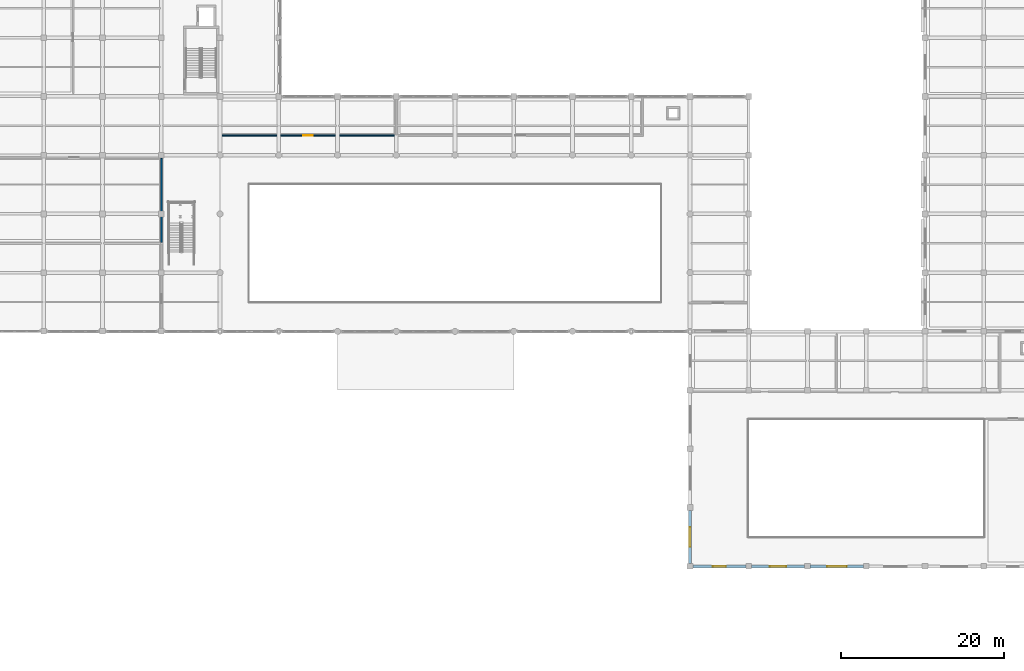
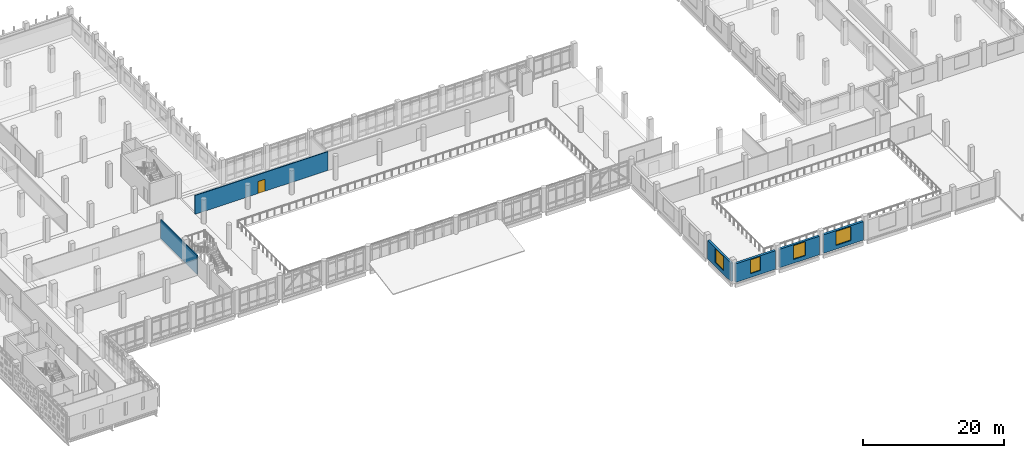
# One storey, part 33 of 57: 6 walls, 4 windows, 1 door, 5 openings.
"""IFC4 building model written with IfcOpenShell, lengths in metres."""

from ifc_helpers import new_model, si_unit, direction, frame, frame_2d, origin, place, context, subcontext, project, spatial, rectangle, extrude, material, layer, layer_set, type_object, element, fill, save


model = new_model("IFC4")

# Units and contexts
model_context = context("Model", 3, precision=1e-05, world=origin(), true_north=direction((0.0, 1.0)))
body_context = subcontext(model_context, "Body", "Model", "MODEL_VIEW")
ifc_project = project(units=[si_unit("LENGTHUNIT", "METRE"), si_unit("AREAUNIT", "SQUARE_METRE"), si_unit("VOLUMEUNIT", "CUBIC_METRE"), si_unit("PLANEANGLEUNIT", "RADIAN"), si_unit("MASSUNIT", "GRAM", prefix="KILO")], contexts=[model_context])

# Site, building, storey
site_placement = place(None, origin())
site = spatial("IfcSite", under=ifc_project, at=site_placement, CompositionType="ELEMENT")
building_placement = place(site_placement, origin())
building = spatial("IfcBuilding", under=site, at=building_placement, Name="Valkovuoma Quantum and Materials Research Institute", CompositionType="ELEMENT")
storey_placement = place(building_placement, frame((0.0, 0.0, 4.800048828125)))
storey = spatial("IfcBuildingStorey", under=building, at=storey_placement, Name="L01", CompositionType="ELEMENT", Elevation=4.800048828125)

# Wall, opening, window
ifc_material_1 = material(Name="Precast concrete C40/50", Category="concrete")
ifc_layer_1 = layer(ifc_material_1, 0.360107421875)
ifc_layer_set_1 = layer_set([ifc_layer_1], Name="Precast concrete C40/50")
wall_type_1 = type_object("IfcWallType", Name="Wall-W-EXT360", PredefinedType="SOLIDWALL", material=ifc_layer_set_1)
wall_1_placement = place(storey_placement, frame((100.800048828125, 7.5400390625, 0.0), z_axis=(0.0, 0.0, 1.0), x_axis=(0.0, 1.0, 0.0)))
wall_1 = element("IfcWall", 1, at=wall_1_placement, inside=storey, type_object=wall_type_1, Name="L01 exterior wall 0098", PredefinedType="SOLIDWALL", context=body_context, shape_type="SweptSolid", body=[
    extrude(rectangle(XDim=6.52001953125, YDim=0.360107421875, at=frame_2d((3.260009765625, 0.0))), origin(), (0.0, 0.0, 1.0), 3.2099609375),
])
opening_1_placement = place(wall_1_placement, frame((2.06005859375, 0.0, 0.64990234375)))
opening_1 = element("IfcOpeningElement", 2, at=opening_1_placement, cuts=wall_1, Name="Opening WN-LF03", PredefinedType="OPENING", context=body_context, shape_type="SweptSolid", body=[
    extrude(rectangle(XDim=2.39990234375, YDim=2.39990234375, at=frame_2d((1.199951171875, 1.199951171875))), frame((0.0, 0.18994140625, 0.0), z_axis=(0.0, -1.0, 0.0), x_axis=(1.0, 0.0, 0.0)), (0.0, 0.0, 1.0), 0.380126953125),
])
ifc_material_2 = material(Name="Triple low-E argon glazing in thermally broken aluminium frame", Category="aluminium")
window_type_1 = type_object("IfcWindowType", Name="Win-WN-LF03", PartitioningType="SINGLE_PANEL", PredefinedType="WINDOW", material=ifc_material_2)
window_1_placement = place(opening_1_placement, origin())
window_1 = element("IfcWindow", 3, at=window_1_placement, inside=storey, type_object=window_type_1, Name="L01 window 0087", OverallHeight=2.39990234375, OverallWidth=2.39990234375, PartitioningType="SINGLE_PANEL", PredefinedType="WINDOW", context=body_context, shape_type="SweptSolid", body=[
    extrude(rectangle(XDim=2.39990234375, YDim=2.39990234375, at=frame_2d((1.199951171875, 1.199951171875))), frame((0.0, 0.030029296875, 0.0), z_axis=(0.0, -1.0, 0.0), x_axis=(1.0, 0.0, 0.0)), (0.0, 0.0, 1.0), 0.06005859375),
])
fill(opening_1, window_1)

ifc_material_3 = material(Name="Precast concrete C40/50", Category="concrete")
ifc_layer_2 = layer(ifc_material_3, 0.3798828125)
ifc_layer_set_2 = layer_set([ifc_layer_2], Name="Precast concrete C40/50")
wall_type_2 = type_object("IfcWallType", Name="Wall-W-EXT380", PredefinedType="SOLIDWALL", material=ifc_layer_set_2)
wall_2_placement = place(storey_placement, frame((101.139892578125, 7.199951171875, 0.0), z_axis=(0.0, 0.0, 1.0), x_axis=(1.0, 0.0, 0.0)))
wall_2 = element("IfcWall", 4, at=wall_2_placement, inside=storey, type_object=wall_type_2, Name="L01 exterior wall 0092", PredefinedType="SOLIDWALL", context=body_context, shape_type="SweptSolid", body=[
    extrude(rectangle(XDim=6.52001953125, YDim=0.3798828125, at=frame_2d((3.260009765625, 0.0))), origin(), (0.0, 0.0, 1.0), 3.2099609375),
])
opening_2_placement = place(wall_2_placement, frame((2.4599609375, 0.0, 0.64990234375)))
opening_2 = element("IfcOpeningElement", 5, at=opening_2_placement, cuts=wall_2, Name="Opening WN-LF01", PredefinedType="OPENING", context=body_context, shape_type="SweptSolid", body=[
    extrude(rectangle(XDim=1.60009765625, YDim=2.39990234375, at=frame_2d((0.800048828125, 1.199951171875))), frame((0.0, 0.199951171875, 0.0), z_axis=(0.0, -1.0, 0.0), x_axis=(1.0, 0.0, 0.0)), (0.0, 0.0, 1.0), 0.39990234375),
])
ifc_material_4 = material(Name="Triple low-E argon glazing in thermally broken aluminium frame", Category="aluminium")
window_type_2 = type_object("IfcWindowType", Name="Win-WN-LF01", PartitioningType="SINGLE_PANEL", PredefinedType="WINDOW", material=ifc_material_4)
window_2_placement = place(opening_2_placement, origin())
window_2 = element("IfcWindow", 6, at=window_2_placement, inside=storey, type_object=window_type_2, Name="L01 window 0081", OverallHeight=2.39990234375, OverallWidth=1.60009765625, PartitioningType="SINGLE_PANEL", PredefinedType="WINDOW", context=body_context, shape_type="SweptSolid", body=[
    extrude(rectangle(XDim=1.60009765625, YDim=2.39990234375, at=frame_2d((0.800048828125, 1.199951171875))), frame((0.0, 0.030029296875, 0.0), z_axis=(0.0, -1.0, 0.0), x_axis=(1.0, 0.0, 0.0)), (0.0, 0.0, 1.0), 0.06005859375),
])
fill(opening_2, window_2)

wall_3_placement = place(storey_placement, frame((108.340087890625, 7.199951171875, 0.0), z_axis=(0.0, 0.0, 1.0), x_axis=(1.0, 0.0, 0.0)))
wall_3 = element("IfcWall", 7, at=wall_3_placement, inside=storey, type_object=wall_type_2, Name="L01 exterior wall 0093", PredefinedType="SOLIDWALL", context=body_context, shape_type="SweptSolid", body=[
    extrude(rectangle(XDim=6.52001953125, YDim=0.3798828125, at=frame_2d((3.260009765625, 0.0))), origin(), (0.0, 0.0, 1.0), 3.2099609375),
])
opening_3_placement = place(wall_3_placement, frame((2.260009765625, 0.0, 0.64990234375)))
opening_3 = element("IfcOpeningElement", 8, at=opening_3_placement, cuts=wall_3, Name="Opening WN-LF02", PredefinedType="OPENING", context=body_context, shape_type="SweptSolid", body=[
    extrude(rectangle(XDim=2.0, YDim=2.39990234375, at=frame_2d((1.0, 1.199951171875))), frame((0.0, 0.199951171875, 0.0), z_axis=(0.0, -1.0, 0.0), x_axis=(1.0, 0.0, 0.0)), (0.0, 0.0, 1.0), 0.39990234375),
])
ifc_material_5 = material(Name="Triple low-E argon glazing in thermally broken aluminium frame", Category="aluminium")
window_type_3 = type_object("IfcWindowType", Name="Win-WN-LF02", PartitioningType="SINGLE_PANEL", PredefinedType="WINDOW", material=ifc_material_5)
window_3_placement = place(opening_3_placement, origin())
window_3 = element("IfcWindow", 9, at=window_3_placement, inside=storey, type_object=window_type_3, Name="L01 window 0082", OverallHeight=2.39990234375, OverallWidth=2.0, PartitioningType="SINGLE_PANEL", PredefinedType="WINDOW", context=body_context, shape_type="SweptSolid", body=[
    extrude(rectangle(XDim=2.0, YDim=2.39990234375, at=frame_2d((1.0, 1.199951171875))), frame((0.0, 0.030029296875, 0.0), z_axis=(0.0, -1.0, 0.0), x_axis=(1.0, 0.0, 0.0)), (0.0, 0.0, 1.0), 0.06005859375),
])
fill(opening_3, window_3)

wall_4_placement = place(storey_placement, frame((115.5400390625, 7.199951171875, 0.0), z_axis=(0.0, 0.0, 1.0), x_axis=(1.0, 0.0, 0.0)))
wall_4 = element("IfcWall", 10, at=wall_4_placement, inside=storey, type_object=wall_type_2, Name="L01 exterior wall 0094", PredefinedType="SOLIDWALL", context=body_context, shape_type="SweptSolid", body=[
    extrude(rectangle(XDim=6.52001953125, YDim=0.3798828125, at=frame_2d((3.260009765625, 0.0))), origin(), (0.0, 0.0, 1.0), 3.2099609375),
])
opening_4_placement = place(wall_4_placement, frame((2.06005859375, 0.0, 0.64990234375)))
opening_4 = element("IfcOpeningElement", 11, at=opening_4_placement, cuts=wall_4, Name="Opening WN-LF03", PredefinedType="OPENING", context=body_context, shape_type="SweptSolid", body=[
    extrude(rectangle(XDim=2.39990234375, YDim=2.39990234375, at=frame_2d((1.199951171875, 1.199951171875))), frame((0.0, 0.199951171875, 0.0), z_axis=(0.0, -1.0, 0.0), x_axis=(1.0, 0.0, 0.0)), (0.0, 0.0, 1.0), 0.39990234375),
])
window_4_placement = place(opening_4_placement, origin())
window_4 = element("IfcWindow", 12, at=window_4_placement, inside=storey, type_object=window_type_1, Name="L01 window 0083", OverallHeight=2.39990234375, OverallWidth=2.39990234375, PartitioningType="SINGLE_PANEL", PredefinedType="WINDOW", context=body_context, shape_type="SweptSolid", body=[
    extrude(rectangle(XDim=2.39990234375, YDim=2.39990234375, at=frame_2d((1.199951171875, 1.199951171875))), frame((0.0, 0.030029296875, 0.0), z_axis=(0.0, -1.0, 0.0), x_axis=(1.0, 0.0, 0.0)), (0.0, 0.0, 1.0), 0.06005859375),
])
fill(opening_4, window_4)

# Wall, opening, door
ifc_material_6 = material(Name="Acoustic write-up studio partition", Category="masonry")
ifc_layer_3 = layer(ifc_material_6, 0.14990234375)
ifc_layer_set_3 = layer_set([ifc_layer_3], Name="Acoustic write-up studio partition")
wall_type_3 = type_object("IfcWallType", Name="Wall-W-PRT150", PredefinedType="PARTITIONING", material=ifc_layer_set_3)
wall_5_placement = place(storey_placement, frame((43.125, 60.0, 0.0), z_axis=(0.0, 0.0, 1.0), x_axis=(1.0, 0.0, 0.0)))
wall_5 = element("IfcWall", 13, at=wall_5_placement, inside=storey, type_object=wall_type_3, Name="L01 partition 0080", PredefinedType="PARTITIONING", context=body_context, shape_type="SweptSolid", body=[
    extrude(rectangle(XDim=21.75, YDim=0.14990234375, at=frame_2d((10.875, 0.0))), origin(), (0.0, 0.0, 1.0), 3.260009765625),
])
opening_5_placement = place(wall_5_placement, frame((10.284912109375, 0.0, 0.0)))
opening_5 = element("IfcOpeningElement", 14, at=opening_5_placement, cuts=wall_5, Name="Opening ID-0058", PredefinedType="OPENING", context=body_context, shape_type="SweptSolid", body=[
    extrude(rectangle(XDim=1.179931640625, YDim=2.080078125, at=frame_2d((0.58984375, 1.0400390625))), frame((0.0, 0.0849609375, 0.0), z_axis=(0.0, -1.0, 0.0), x_axis=(1.0, 0.0, 0.0)), (0.0, 0.0, 1.0), 0.169921875),
])
ifc_material_7 = material(Name="Powder-coated steel and acoustic timber door assembly", Category="steel")
door_type = type_object("IfcDoorType", Name="Door-DR-RM06", OperationType="NOTDEFINED", PredefinedType="DOOR", material=ifc_material_7)
door_placement = place(opening_5_placement, origin())
door = element("IfcDoor", 15, at=door_placement, inside=storey, type_object=door_type, Name="L01 room door 0058", OperationType="SINGLE_SWING_LEFT", OverallHeight=2.080078125, OverallWidth=1.179931640625, PredefinedType="DOOR", context=body_context, shape_type="SweptSolid", body=[
    extrude(rectangle(XDim=1.179931640625, YDim=2.080078125, at=frame_2d((0.58984375, 1.0400390625))), frame((0.0, 0.02490234375, 0.0), z_axis=(0.0, -1.0, 0.0), x_axis=(1.0, 0.0, 0.0)), (0.0, 0.0, 1.0), 0.050048828125),
])
fill(opening_5, door)

# Wall
ifc_material_8 = material(Name="Laboratory fire-rated gypsum partition", Category="masonry")
ifc_layer_4 = layer(ifc_material_8, 0.179931640625)
ifc_layer_set_4 = layer_set([ifc_layer_4], Name="Laboratory fire-rated gypsum partition")
wall_type_4 = type_object("IfcWallType", Name="Wall-W-PRT180", PredefinedType="PARTITIONING", material=ifc_layer_set_4)
wall_6_placement = place(storey_placement, frame((36.0, 46.89990234375, 0.0), z_axis=(0.0, 0.0, 1.0), x_axis=(0.0, 1.0, 0.0)))
element("IfcWall", 16, at=wall_6_placement, inside=storey, type_object=wall_type_4, Name="L01 partition 0079", PredefinedType="PARTITIONING", context=body_context, shape_type="SweptSolid", body=[
    extrude(rectangle(XDim=10.31005859375, YDim=0.179931640625, at=frame_2d((5.155029296875, 0.0))), origin(), (0.0, 0.0, 1.0), 3.260009765625),
])

save(model, "model.ifc")
